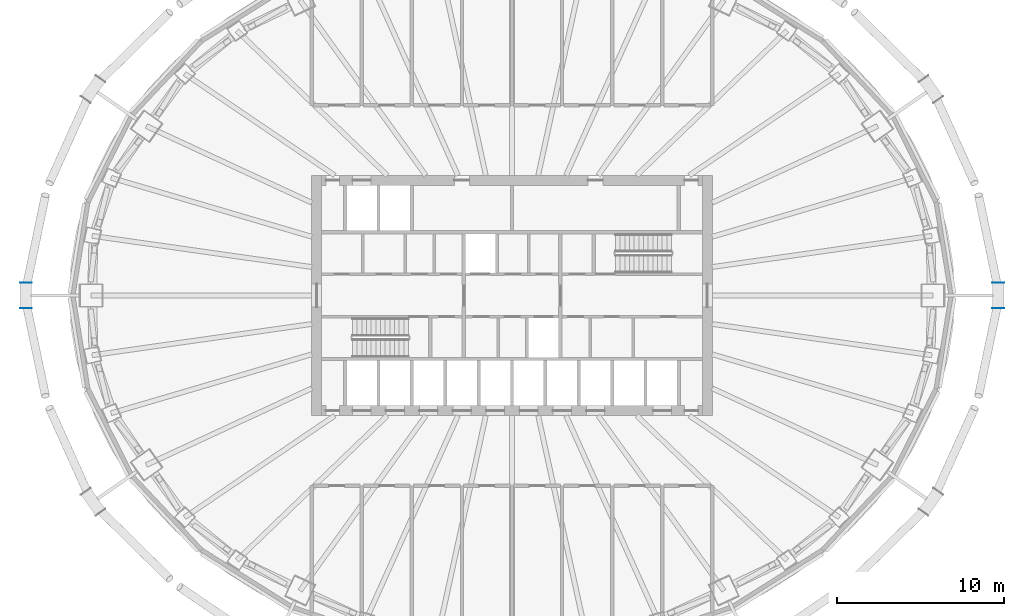
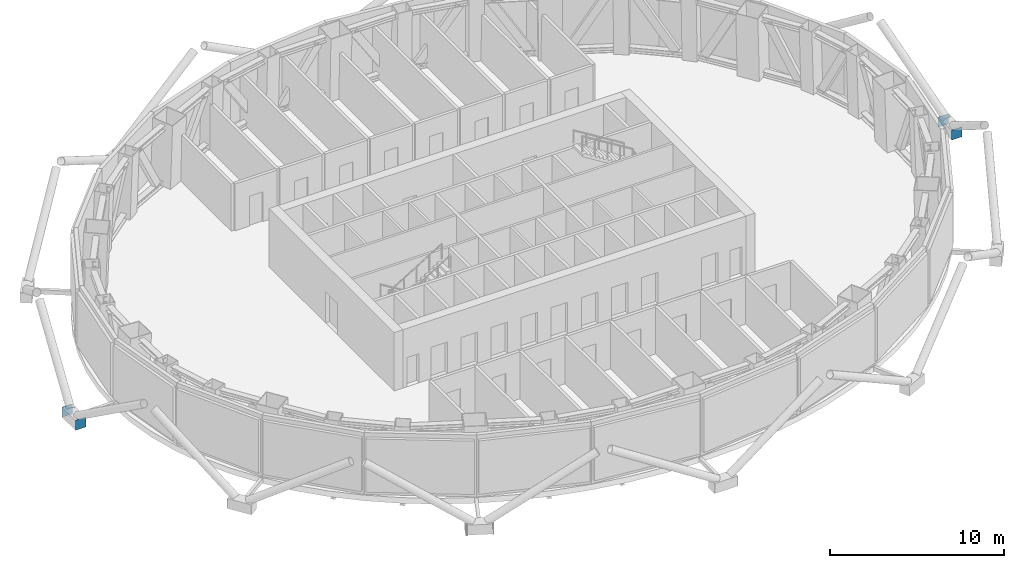
# One storey, part 13 of 18: 4 discrete accessories.
"""IFC4 building model written with IfcOpenShell, lengths in metres."""

from ifc_helpers import new_model, si_unit, direction, frame, origin, origin_2d, place, context, subcontext, project, spatial, rectangle, extrude, material, layer, layer_set, type_object, element, save


model = new_model("IFC4")

# Units and contexts
model_context = context("Model", 3, precision=1e-05, world=origin(), true_north=direction((0.0, 1.0)))
body_context = subcontext(model_context, "Body", "Model", "MODEL_VIEW")
ifc_project = project(units=[si_unit("LENGTHUNIT", "METRE"), si_unit("AREAUNIT", "SQUARE_METRE"), si_unit("VOLUMEUNIT", "CUBIC_METRE"), si_unit("PLANEANGLEUNIT", "RADIAN"), si_unit("MASSUNIT", "GRAM", prefix="KILO")], contexts=[model_context])

# Site, building, storey
site_placement = place(None, origin())
site = spatial("IfcSite", under=ifc_project, at=site_placement, CompositionType="ELEMENT")
building_placement = place(site_placement, origin())
building = spatial("IfcBuilding", under=site, at=building_placement, Name="Siaravel Broadcast Tower", CompositionType="ELEMENT")
storey_placement = place(building_placement, frame((0.0, 0.0, 92.60009765625)))
storey = spatial("IfcBuildingStorey", under=building, at=storey_placement, Name="L21", CompositionType="ELEMENT", Elevation=92.60009765625)

# Discrete accessories
ifc_material = material(Name="Steel S355", Category="steel")
ifc_layer = layer(ifc_material, 0.02001953125)
ifc_layer_set = layer_set([ifc_layer], Name="Steel S355")
discrete_accessory_type = type_object("IfcDiscreteAccessoryType", Name="Steel end plate 20 mm", PredefinedType="USERDEFINED", material=ifc_layer_set)
for number, where, z_axis, x_axis, name in (
    (1, (29.12939453125, 0.763427734375, -0.55029296875), (0.0, 0.0, 1.0), (0.0, 1.0, 0.0), "End plate R09 station 00A"),
    (2, (29.12939453125, -0.763427734375, -0.55029296875), (0.0, 0.0, 1.0), (0.0, 1.0, 0.0), "End plate R09 station 00B"),
    (3, (-29.12939453125, -0.763427734375, -0.55029296875), (0.0, 0.0, 1.0), (0.0, -1.0, 0.0), "End plate R09 station 36A"),
    (4, (-29.12939453125, 0.763427734375, -0.55029296875), (0.0, 0.0, 1.0), (0.0, -1.0, 0.0), "End plate R09 station 36B"),
):
    element("IfcDiscreteAccessory", number, at=place(storey_placement, frame(where, z_axis=z_axis, x_axis=x_axis)), inside=storey, type_object=discrete_accessory_type, Name=name, ObjectType="END PLATE", PredefinedType="USERDEFINED", context=body_context, shape_type="SweptSolid", body=[
        extrude(rectangle(XDim=0.02001953125, YDim=0.699951171875, at=origin_2d()), origin(), (0.0, 0.0, 1.0), 0.699951171875),
    ])

save(model, "model.ifc")
